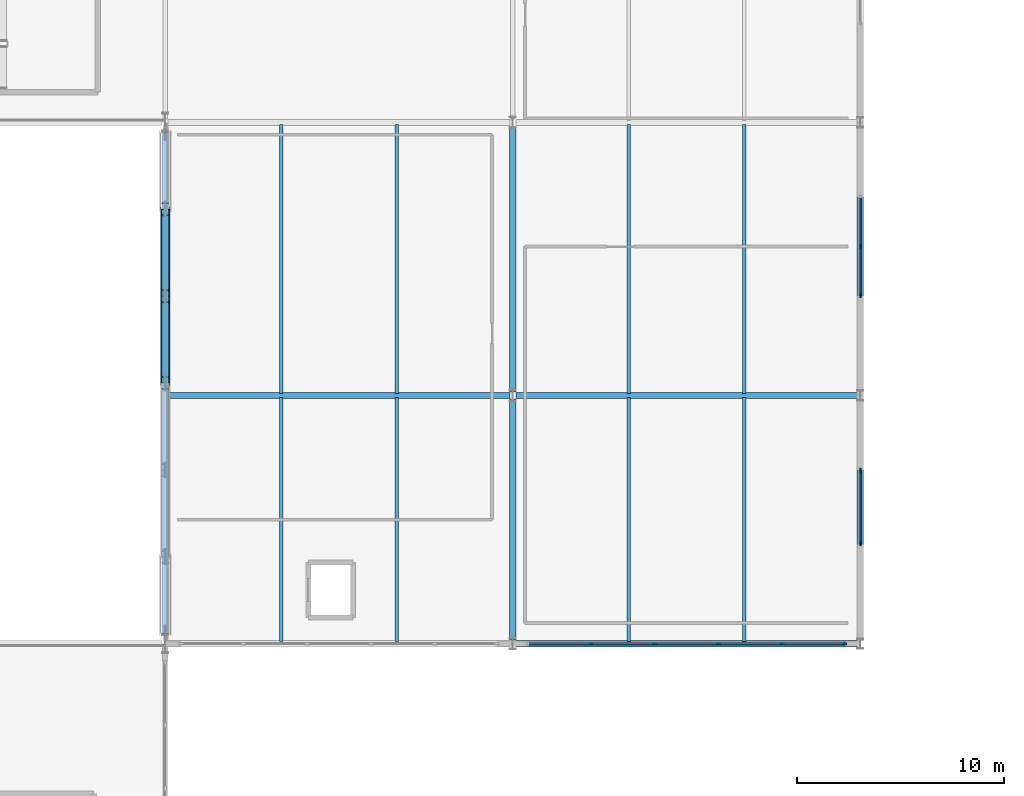
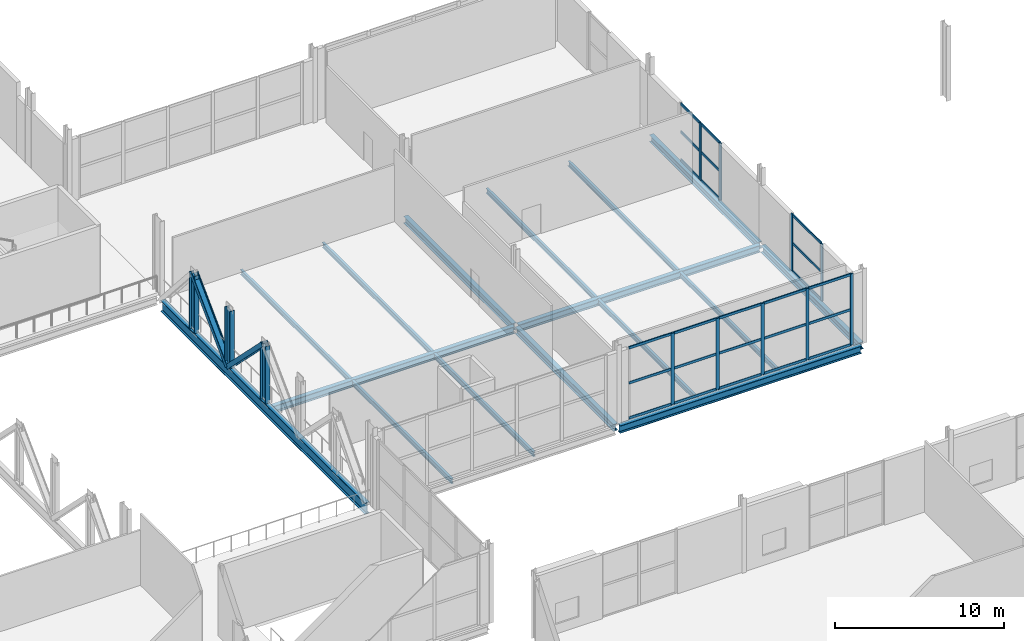
# One storey, part 43 of 84: 38 members, 16 beams, 3 elements without a shape of their own.
"""IFC4 building model written with IfcOpenShell, lengths in metres."""

from ifc_helpers import new_model, si_unit, direction, frame, origin, origin_2d, place, context, subcontext, project, spatial, rectangle, i_section, extrude, material, material_profile, profile_set, type_object, element, aggregate, save


model = new_model("IFC4")

# Units and contexts
model_context = context("Model", 3, precision=1e-05, world=origin(), true_north=direction((0.0, 1.0)))
body_context = subcontext(model_context, "Body", "Model", "MODEL_VIEW")
ifc_project = project(units=[si_unit("LENGTHUNIT", "METRE"), si_unit("AREAUNIT", "SQUARE_METRE"), si_unit("VOLUMEUNIT", "CUBIC_METRE"), si_unit("PLANEANGLEUNIT", "RADIAN"), si_unit("MASSUNIT", "GRAM", prefix="KILO")], contexts=[model_context])

# Site, building, storey
site_placement = place(None, origin())
site = spatial("IfcSite", under=ifc_project, at=site_placement, CompositionType="ELEMENT")
building_placement = place(site_placement, origin())
building = spatial("IfcBuilding", under=site, at=building_placement, Name="Kimbaza Rail Terminus", CompositionType="ELEMENT")
storey_placement = place(building_placement, frame((0.0, 0.0, 5.39990234375)))
storey = spatial("IfcBuildingStorey", under=building, at=storey_placement, Name="L01", CompositionType="ELEMENT", Elevation=5.39990234375)

# Curtain wall, members
ifc_material_1 = material(Name="Anodised aluminium framing and solar low-E glazing", Category="aluminium")
curtain_wall_type = type_object("IfcCurtainWallType", Name="ARC-CW-TH1", PredefinedType="USERDEFINED", material=ifc_material_1)
curtain_wall_1_placement = place(storey_placement, origin())
curtain_wall_1 = element("IfcCurtainWall", 1, at=curtain_wall_1_placement, inside=storey, type_object=curtain_wall_type, Name="Ticket Hall Wing E Curtain Wall L01.2", ObjectType="UNITISED CURTAIN WALL", PredefinedType="USERDEFINED")
ifc_material_2 = material(Name="Anodised architectural aluminium", Category="aluminium")
ifc_material_profile_1 = material_profile(ifc_material_2, rectangle(XDim=0.074951171875, YDim=0.219970703125, at=origin_2d()), Name="MULLION 75x220")
ifc_profile_set_1 = profile_set([ifc_material_profile_1], Name="Anodised architectural aluminium")
member_type_1 = type_object("IfcMemberType", Name="ARC-CWM-01", PredefinedType="MULLION", material=ifc_profile_set_1)
member_1_placement = place(storey_placement, frame((176.592041015625, 55.0, 0.0), z_axis=(0.0, 0.0, 1.0), x_axis=(0.0, 1.0, 0.0)))
member_1 = element("IfcMember", 2, at=member_1_placement, type_object=member_type_1, Name="CW-01 mullion 2", PredefinedType="MULLION", context=body_context, shape_type="SweptSolid", body=[
    extrude(rectangle(XDim=0.074951171875, YDim=0.219970703125, at=origin_2d()), origin(), (0.0, 0.0, 1.0), 5.14013671875),
])
member_2_placement = place(storey_placement, frame((179.6640625, 55.0, 0.0), z_axis=(0.0, 0.0, 1.0), x_axis=(0.0, 1.0, 0.0)))
member_2 = element("IfcMember", 3, at=member_2_placement, type_object=member_type_1, Name="CW-01 mullion 3", PredefinedType="MULLION", context=body_context, shape_type="SweptSolid", body=[
    extrude(rectangle(XDim=0.074951171875, YDim=0.219970703125, at=origin_2d()), origin(), (0.0, 0.0, 1.0), 5.14013671875),
])
member_3_placement = place(storey_placement, frame((182.736083984375, 55.0, 0.0), z_axis=(0.0, 0.0, 1.0), x_axis=(0.0, 1.0, 0.0)))
member_3 = element("IfcMember", 4, at=member_3_placement, type_object=member_type_1, Name="CW-01 mullion 4", PredefinedType="MULLION", context=body_context, shape_type="SweptSolid", body=[
    extrude(rectangle(XDim=0.074951171875, YDim=0.219970703125, at=origin_2d()), origin(), (0.0, 0.0, 1.0), 5.14013671875),
])
member_4_placement = place(storey_placement, frame((185.80810546875, 55.0, 0.0), z_axis=(0.0, 0.0, 1.0), x_axis=(0.0, 1.0, 0.0)))
member_4 = element("IfcMember", 5, at=member_4_placement, type_object=member_type_1, Name="CW-01 mullion 5", PredefinedType="MULLION", context=body_context, shape_type="SweptSolid", body=[
    extrude(rectangle(XDim=0.074951171875, YDim=0.219970703125, at=origin_2d()), origin(), (0.0, 0.0, 1.0), 5.14013671875),
])
member_5_placement = place(storey_placement, frame((188.842529296875, 55.0, 0.0), z_axis=(0.0, 0.0, 1.0), x_axis=(0.0, 1.0, 0.0)))
member_5 = element("IfcMember", 6, at=member_5_placement, type_object=member_type_1, Name="CW-01 mullion 6", PredefinedType="MULLION", context=body_context, shape_type="SweptSolid", body=[
    extrude(rectangle(XDim=0.074951171875, YDim=0.219970703125, at=origin_2d()), origin(), (0.0, 0.0, 1.0), 5.14013671875),
])

curtain_wall_2_placement = place(storey_placement, origin())
curtain_wall_2 = element("IfcCurtainWall", 7, at=curtain_wall_2_placement, inside=storey, type_object=curtain_wall_type, Name="Ticket Hall E Glazing L01.1", ObjectType="UNITISED CURTAIN WALL", PredefinedType="USERDEFINED")
member_6_placement = place(storey_placement, frame((189.60009765625, 59.83740234375, 0.0), z_axis=(0.0, 0.0, 1.0), x_axis=(-1.0, 0.0, 0.0)))
member_6 = element("IfcMember", 8, at=member_6_placement, type_object=member_type_1, Name="CW-01 mullion 1", PredefinedType="MULLION", context=body_context, shape_type="SweptSolid", body=[
    extrude(rectangle(XDim=0.074951171875, YDim=0.219970703125, at=origin_2d()), origin(), (0.0, 0.0, 1.0), 4.125),
])
member_7_placement = place(storey_placement, frame((189.60009765625, 63.362548828125, 0.0), z_axis=(0.0, 0.0, 1.0), x_axis=(-1.0, 0.0, 0.0)))
member_7 = element("IfcMember", 9, at=member_7_placement, type_object=member_type_1, Name="CW-01 mullion 2", PredefinedType="MULLION", context=body_context, shape_type="SweptSolid", body=[
    extrude(rectangle(XDim=0.074951171875, YDim=0.219970703125, at=origin_2d()), origin(), (0.0, 0.0, 1.0), 4.125),
])

curtain_wall_3_placement = place(storey_placement, origin())
curtain_wall_3 = element("IfcCurtainWall", 10, at=curtain_wall_3_placement, inside=storey, type_object=curtain_wall_type, Name="Ticket Hall E Glazing L01.2", ObjectType="UNITISED CURTAIN WALL", PredefinedType="USERDEFINED")
member_8_placement = place(storey_placement, frame((189.60009765625, 71.83740234375, 0.0), z_axis=(0.0, 0.0, 1.0), x_axis=(-1.0, 0.0, 0.0)))
member_8 = element("IfcMember", 11, at=member_8_placement, type_object=member_type_1, Name="CW-01 mullion 1", PredefinedType="MULLION", context=body_context, shape_type="SweptSolid", body=[
    extrude(rectangle(XDim=0.074951171875, YDim=0.219970703125, at=origin_2d()), origin(), (0.0, 0.0, 1.0), 4.125),
])
member_9_placement = place(storey_placement, frame((189.60009765625, 74.199951171875, 0.0), z_axis=(0.0, 0.0, 1.0), x_axis=(-1.0, 0.0, 0.0)))
member_9 = element("IfcMember", 12, at=member_9_placement, type_object=member_type_1, Name="CW-01 mullion 2", PredefinedType="MULLION", context=body_context, shape_type="SweptSolid", body=[
    extrude(rectangle(XDim=0.074951171875, YDim=0.219970703125, at=origin_2d()), origin(), (0.0, 0.0, 1.0), 4.125),
])

# Member
ifc_material_3 = material(Name="Anodised architectural aluminium", Category="aluminium")
ifc_material_profile_2 = material_profile(ifc_material_3, rectangle(XDim=0.074951171875, YDim=0.179931640625, at=origin_2d()), Name="TRANSOM 75x180")
ifc_profile_set_2 = profile_set([ifc_material_profile_2], Name="Anodised architectural aluminium")
member_type_2 = type_object("IfcMemberType", Name="ARC-CWT-01", PredefinedType="USERDEFINED", material=ifc_profile_set_2)
member_10_placement = place(storey_placement, frame((173.594970703125, 55.0, 0.03759765625), z_axis=(1.0, 0.0, 0.0), x_axis=(0.0, 1.0, 0.0)))
member_10 = element("IfcMember", 13, at=member_10_placement, type_object=member_type_2, Name="CW-01 transom 1.1", ObjectType="TRANSOM", PredefinedType="USERDEFINED", context=body_context, shape_type="SweptSolid", body=[
    extrude(rectangle(XDim=0.074951171875, YDim=0.179931640625, at=origin_2d()), origin(), (0.0, 0.0, 1.0), 2.95947265625),
])

member_11_placement = place(storey_placement, frame((173.594970703125, 55.0, 2.570068359375), z_axis=(1.0, 0.0, 0.0), x_axis=(0.0, 1.0, 0.0)))
member_11 = element("IfcMember", 14, at=member_11_placement, type_object=member_type_2, Name="CW-01 transom 1.2", ObjectType="TRANSOM", PredefinedType="USERDEFINED", context=body_context, shape_type="SweptSolid", body=[
    extrude(rectangle(XDim=0.074951171875, YDim=0.179931640625, at=origin_2d()), origin(), (0.0, 0.0, 1.0), 2.95947265625),
])

member_12_placement = place(storey_placement, frame((173.594970703125, 55.0, 5.1025390625), z_axis=(1.0, 0.0, 0.0), x_axis=(0.0, 1.0, 0.0)))
member_12 = element("IfcMember", 15, at=member_12_placement, type_object=member_type_2, Name="CW-01 transom 1.3", ObjectType="TRANSOM", PredefinedType="USERDEFINED", context=body_context, shape_type="SweptSolid", body=[
    extrude(rectangle(XDim=0.074951171875, YDim=0.179931640625, at=origin_2d()), origin(), (0.0, 0.0, 1.0), 2.95947265625),
])

member_13_placement = place(storey_placement, frame((176.62939453125, 55.0, 0.03759765625), z_axis=(1.0, 0.0, 0.0), x_axis=(0.0, 1.0, 0.0)))
member_13 = element("IfcMember", 16, at=member_13_placement, type_object=member_type_2, Name="CW-01 transom 2.1", ObjectType="TRANSOM", PredefinedType="USERDEFINED", context=body_context, shape_type="SweptSolid", body=[
    extrude(rectangle(XDim=0.074951171875, YDim=0.179931640625, at=origin_2d()), origin(), (0.0, 0.0, 1.0), 2.9970703125),
])

member_14_placement = place(storey_placement, frame((176.62939453125, 55.0, 2.570068359375), z_axis=(1.0, 0.0, 0.0), x_axis=(0.0, 1.0, 0.0)))
member_14 = element("IfcMember", 17, at=member_14_placement, type_object=member_type_2, Name="CW-01 transom 2.2", ObjectType="TRANSOM", PredefinedType="USERDEFINED", context=body_context, shape_type="SweptSolid", body=[
    extrude(rectangle(XDim=0.074951171875, YDim=0.179931640625, at=origin_2d()), origin(), (0.0, 0.0, 1.0), 2.9970703125),
])

member_15_placement = place(storey_placement, frame((176.62939453125, 55.0, 5.1025390625), z_axis=(1.0, 0.0, 0.0), x_axis=(0.0, 1.0, 0.0)))
member_15 = element("IfcMember", 18, at=member_15_placement, type_object=member_type_2, Name="CW-01 transom 2.3", ObjectType="TRANSOM", PredefinedType="USERDEFINED", context=body_context, shape_type="SweptSolid", body=[
    extrude(rectangle(XDim=0.074951171875, YDim=0.179931640625, at=origin_2d()), origin(), (0.0, 0.0, 1.0), 2.9970703125),
])

member_16_placement = place(storey_placement, frame((179.701416015625, 55.0, 0.03759765625), z_axis=(1.0, 0.0, 0.0), x_axis=(0.0, 1.0, 0.0)))
member_16 = element("IfcMember", 19, at=member_16_placement, type_object=member_type_2, Name="CW-01 transom 3.1", ObjectType="TRANSOM", PredefinedType="USERDEFINED", context=body_context, shape_type="SweptSolid", body=[
    extrude(rectangle(XDim=0.074951171875, YDim=0.179931640625, at=origin_2d()), origin(), (0.0, 0.0, 1.0), 2.9970703125),
])

member_17_placement = place(storey_placement, frame((179.701416015625, 55.0, 2.570068359375), z_axis=(1.0, 0.0, 0.0), x_axis=(0.0, 1.0, 0.0)))
member_17 = element("IfcMember", 20, at=member_17_placement, type_object=member_type_2, Name="CW-01 transom 3.2", ObjectType="TRANSOM", PredefinedType="USERDEFINED", context=body_context, shape_type="SweptSolid", body=[
    extrude(rectangle(XDim=0.074951171875, YDim=0.179931640625, at=origin_2d()), origin(), (0.0, 0.0, 1.0), 2.9970703125),
])

member_18_placement = place(storey_placement, frame((179.701416015625, 55.0, 5.1025390625), z_axis=(1.0, 0.0, 0.0), x_axis=(0.0, 1.0, 0.0)))
member_18 = element("IfcMember", 21, at=member_18_placement, type_object=member_type_2, Name="CW-01 transom 3.3", ObjectType="TRANSOM", PredefinedType="USERDEFINED", context=body_context, shape_type="SweptSolid", body=[
    extrude(rectangle(XDim=0.074951171875, YDim=0.179931640625, at=origin_2d()), origin(), (0.0, 0.0, 1.0), 2.9970703125),
])

member_19_placement = place(storey_placement, frame((182.7734375, 55.0, 0.03759765625), z_axis=(1.0, 0.0, 0.0), x_axis=(0.0, 1.0, 0.0)))
member_19 = element("IfcMember", 22, at=member_19_placement, type_object=member_type_2, Name="CW-01 transom 4.1", ObjectType="TRANSOM", PredefinedType="USERDEFINED", context=body_context, shape_type="SweptSolid", body=[
    extrude(rectangle(XDim=0.074951171875, YDim=0.179931640625, at=origin_2d()), origin(), (0.0, 0.0, 1.0), 2.9970703125),
])

member_20_placement = place(storey_placement, frame((182.7734375, 55.0, 2.570068359375), z_axis=(1.0, 0.0, 0.0), x_axis=(0.0, 1.0, 0.0)))
member_20 = element("IfcMember", 23, at=member_20_placement, type_object=member_type_2, Name="CW-01 transom 4.2", ObjectType="TRANSOM", PredefinedType="USERDEFINED", context=body_context, shape_type="SweptSolid", body=[
    extrude(rectangle(XDim=0.074951171875, YDim=0.179931640625, at=origin_2d()), origin(), (0.0, 0.0, 1.0), 2.9970703125),
])

member_21_placement = place(storey_placement, frame((182.7734375, 55.0, 5.1025390625), z_axis=(1.0, 0.0, 0.0), x_axis=(0.0, 1.0, 0.0)))
member_21 = element("IfcMember", 24, at=member_21_placement, type_object=member_type_2, Name="CW-01 transom 4.3", ObjectType="TRANSOM", PredefinedType="USERDEFINED", context=body_context, shape_type="SweptSolid", body=[
    extrude(rectangle(XDim=0.074951171875, YDim=0.179931640625, at=origin_2d()), origin(), (0.0, 0.0, 1.0), 2.9970703125),
])

member_22_placement = place(storey_placement, frame((185.845458984375, 55.0, 0.03759765625), z_axis=(1.0, 0.0, 0.0), x_axis=(0.0, 1.0, 0.0)))
member_22 = element("IfcMember", 25, at=member_22_placement, type_object=member_type_2, Name="CW-01 transom 5.1", ObjectType="TRANSOM", PredefinedType="USERDEFINED", context=body_context, shape_type="SweptSolid", body=[
    extrude(rectangle(XDim=0.074951171875, YDim=0.179931640625, at=origin_2d()), origin(), (0.0, 0.0, 1.0), 2.95947265625),
])

member_23_placement = place(storey_placement, frame((185.845458984375, 55.0, 2.570068359375), z_axis=(1.0, 0.0, 0.0), x_axis=(0.0, 1.0, 0.0)))
member_23 = element("IfcMember", 26, at=member_23_placement, type_object=member_type_2, Name="CW-01 transom 5.2", ObjectType="TRANSOM", PredefinedType="USERDEFINED", context=body_context, shape_type="SweptSolid", body=[
    extrude(rectangle(XDim=0.074951171875, YDim=0.179931640625, at=origin_2d()), origin(), (0.0, 0.0, 1.0), 2.95947265625),
])

member_24_placement = place(storey_placement, frame((185.845458984375, 55.0, 5.1025390625), z_axis=(1.0, 0.0, 0.0), x_axis=(0.0, 1.0, 0.0)))
member_24 = element("IfcMember", 27, at=member_24_placement, type_object=member_type_2, Name="CW-01 transom 5.3", ObjectType="TRANSOM", PredefinedType="USERDEFINED", context=body_context, shape_type="SweptSolid", body=[
    extrude(rectangle(XDim=0.074951171875, YDim=0.179931640625, at=origin_2d()), origin(), (0.0, 0.0, 1.0), 2.95947265625),
])

aggregate(curtain_wall_1, [member_1, member_2, member_3, member_4, member_5, member_10, member_11, member_12, member_13, member_14, member_15, member_16, member_17, member_18, member_19, member_20, member_21, member_22, member_23, member_24])

member_25_placement = place(storey_placement, frame((189.60009765625, 59.875, 0.03759765625), z_axis=(0.0, 1.0, 0.0), x_axis=(-1.0, 0.0, 0.0)))
member_25 = element("IfcMember", 28, at=member_25_placement, type_object=member_type_2, Name="CW-01 transom 1.1", ObjectType="TRANSOM", PredefinedType="USERDEFINED", context=body_context, shape_type="SweptSolid", body=[
    extrude(rectangle(XDim=0.074951171875, YDim=0.179931640625, at=origin_2d()), origin(), (0.0, 0.0, 1.0), 3.449951171875),
])

member_26_placement = place(storey_placement, frame((189.60009765625, 59.875, 2.0625), z_axis=(0.0, 1.0, 0.0), x_axis=(-1.0, 0.0, 0.0)))
member_26 = element("IfcMember", 29, at=member_26_placement, type_object=member_type_2, Name="CW-01 transom 1.2", ObjectType="TRANSOM", PredefinedType="USERDEFINED", context=body_context, shape_type="SweptSolid", body=[
    extrude(rectangle(XDim=0.074951171875, YDim=0.179931640625, at=origin_2d()), origin(), (0.0, 0.0, 1.0), 3.449951171875),
])

member_27_placement = place(storey_placement, frame((189.60009765625, 59.875, 4.087646484375), z_axis=(0.0, 1.0, 0.0), x_axis=(-1.0, 0.0, 0.0)))
member_27 = element("IfcMember", 30, at=member_27_placement, type_object=member_type_2, Name="CW-01 transom 1.3", ObjectType="TRANSOM", PredefinedType="USERDEFINED", context=body_context, shape_type="SweptSolid", body=[
    extrude(rectangle(XDim=0.074951171875, YDim=0.179931640625, at=origin_2d()), origin(), (0.0, 0.0, 1.0), 3.449951171875),
])

aggregate(curtain_wall_2, [member_6, member_7, member_25, member_26, member_27])

member_28_placement = place(storey_placement, frame((189.60009765625, 71.875, 0.03759765625), z_axis=(0.0, 1.0, 0.0), x_axis=(-1.0, 0.0, 0.0)))
member_28 = element("IfcMember", 31, at=member_28_placement, type_object=member_type_2, Name="CW-01 transom 1.1", ObjectType="TRANSOM", PredefinedType="USERDEFINED", context=body_context, shape_type="SweptSolid", body=[
    extrude(rectangle(XDim=0.074951171875, YDim=0.179931640625, at=origin_2d()), origin(), (0.0, 0.0, 1.0), 2.28759765625),
])

member_29_placement = place(storey_placement, frame((189.60009765625, 71.875, 2.0625), z_axis=(0.0, 1.0, 0.0), x_axis=(-1.0, 0.0, 0.0)))
member_29 = element("IfcMember", 32, at=member_29_placement, type_object=member_type_2, Name="CW-01 transom 1.2", ObjectType="TRANSOM", PredefinedType="USERDEFINED", context=body_context, shape_type="SweptSolid", body=[
    extrude(rectangle(XDim=0.074951171875, YDim=0.179931640625, at=origin_2d()), origin(), (0.0, 0.0, 1.0), 2.28759765625),
])

member_30_placement = place(storey_placement, frame((189.60009765625, 71.875, 4.087646484375), z_axis=(0.0, 1.0, 0.0), x_axis=(-1.0, 0.0, 0.0)))
member_30 = element("IfcMember", 33, at=member_30_placement, type_object=member_type_2, Name="CW-01 transom 1.3", ObjectType="TRANSOM", PredefinedType="USERDEFINED", context=body_context, shape_type="SweptSolid", body=[
    extrude(rectangle(XDim=0.074951171875, YDim=0.179931640625, at=origin_2d()), origin(), (0.0, 0.0, 1.0), 2.28759765625),
])

member_31_placement = place(storey_placement, frame((189.60009765625, 74.237548828125, 0.03759765625), z_axis=(0.0, 1.0, 0.0), x_axis=(-1.0, 0.0, 0.0)))
member_31 = element("IfcMember", 34, at=member_31_placement, type_object=member_type_2, Name="CW-01 transom 2.1", ObjectType="TRANSOM", PredefinedType="USERDEFINED", context=body_context, shape_type="SweptSolid", body=[
    extrude(rectangle(XDim=0.074951171875, YDim=0.179931640625, at=origin_2d()), origin(), (0.0, 0.0, 1.0), 2.287353515625),
])

member_32_placement = place(storey_placement, frame((189.60009765625, 74.237548828125, 2.0625), z_axis=(0.0, 1.0, 0.0), x_axis=(-1.0, 0.0, 0.0)))
member_32 = element("IfcMember", 35, at=member_32_placement, type_object=member_type_2, Name="CW-01 transom 2.2", ObjectType="TRANSOM", PredefinedType="USERDEFINED", context=body_context, shape_type="SweptSolid", body=[
    extrude(rectangle(XDim=0.074951171875, YDim=0.179931640625, at=origin_2d()), origin(), (0.0, 0.0, 1.0), 2.287353515625),
])

member_33_placement = place(storey_placement, frame((189.60009765625, 74.237548828125, 4.087646484375), z_axis=(0.0, 1.0, 0.0), x_axis=(-1.0, 0.0, 0.0)))
member_33 = element("IfcMember", 36, at=member_33_placement, type_object=member_type_2, Name="CW-01 transom 2.3", ObjectType="TRANSOM", PredefinedType="USERDEFINED", context=body_context, shape_type="SweptSolid", body=[
    extrude(rectangle(XDim=0.074951171875, YDim=0.179931640625, at=origin_2d()), origin(), (0.0, 0.0, 1.0), 2.287353515625),
])

aggregate(curtain_wall_3, [member_8, member_9, member_28, member_29, member_30, member_31, member_32, member_33])

# Beams
ifc_material_4 = material(Name="Steel S355", Category="steel")
ifc_material_profile_3 = material_profile(ifc_material_4, i_section(OverallWidth=0.300048828125, OverallDepth=0.5, WebThickness=0.014404296875, FlangeThickness=0.028076171875, FilletRadius=0.027099609375, at=origin_2d()), Name="HEB 500")
ifc_profile_set_3 = profile_set([ifc_material_profile_3], Name="Steel S355")
beam_type_1 = type_object("IfcBeamType", Name="STR-BM-HEB500", PredefinedType="BEAM", material=ifc_profile_set_3)
for number, where, z_axis, x_axis, name in (
    (37, (156.14599609375, 67.0, -0.469970703125), (1.0, 0.0, 0.0), (0.0, 1.0, 0.0), "Beam BM-V2WX-L01-156"),
    (38, (172.946044921875, 67.0, -0.469970703125), (1.0, 0.0, 0.0), (0.0, 1.0, 0.0), "Beam BM-V2WX-L01-173"),
):
    element("IfcBeam", number, at=place(storey_placement, frame(where, z_axis=z_axis, x_axis=x_axis)), inside=storey, type_object=beam_type_1, Name=name, PredefinedType="BEAM", context=body_context, shape_type="SweptSolid", body=[
        extrude(i_section(OverallWidth=0.300048828125, OverallDepth=0.5, WebThickness=0.014404296875, FlangeThickness=0.028076171875, FilletRadius=0.027099609375, at=origin_2d()), origin(), (0.0, 0.0, 1.0), 16.508056640625),
    ])
beam_1_placement = place(storey_placement, frame((172.800048828125, 55.175048828125, -0.469970703125), z_axis=(0.0, 1.0, 0.0), x_axis=(-1.0, 0.0, 0.0)))
element("IfcBeam", 39, at=beam_1_placement, inside=storey, type_object=beam_type_1, Name="Beam BM-V2WY-L01-2-55", PredefinedType="BEAM", context=body_context, shape_type="SweptSolid", body=[
    extrude(i_section(OverallWidth=0.300048828125, OverallDepth=0.5, WebThickness=0.014404296875, FlangeThickness=0.028076171875, FilletRadius=0.027099609375, at=origin_2d()), origin(), (0.0, 0.0, 1.0), 11.64990234375),
])
beam_2_placement = place(storey_placement, frame((172.800048828125, 67.175048828125, -0.469970703125), z_axis=(0.0, 1.0, 0.0), x_axis=(-1.0, 0.0, 0.0)))
element("IfcBeam", 40, at=beam_2_placement, inside=storey, type_object=beam_type_1, Name="Beam BM-V2WY-L01-2-67", PredefinedType="BEAM", context=body_context, shape_type="SweptSolid", body=[
    extrude(i_section(OverallWidth=0.300048828125, OverallDepth=0.5, WebThickness=0.014404296875, FlangeThickness=0.028076171875, FilletRadius=0.027099609375, at=origin_2d()), origin(), (0.0, 0.0, 1.0), 12.849853515625),
])
beam_3_placement = place(storey_placement, frame((189.60009765625, 55.175048828125, -0.469970703125), z_axis=(0.0, 1.0, 0.0), x_axis=(-1.0, 0.0, 0.0)))
element("IfcBeam", 41, at=beam_3_placement, inside=storey, type_object=beam_type_1, Name="Beam BM-V2WY-L01-3-55", PredefinedType="BEAM", context=body_context, shape_type="SweptSolid", body=[
    extrude(i_section(OverallWidth=0.300048828125, OverallDepth=0.5, WebThickness=0.014404296875, FlangeThickness=0.028076171875, FilletRadius=0.027099609375, at=origin_2d()), origin(), (0.0, 0.0, 1.0), 11.64990234375),
])
beam_4_placement = place(storey_placement, frame((189.60009765625, 67.175048828125, -0.469970703125), z_axis=(0.0, 1.0, 0.0), x_axis=(-1.0, 0.0, 0.0)))
element("IfcBeam", 42, at=beam_4_placement, inside=storey, type_object=beam_type_1, Name="Beam BM-V2WY-L01-3-67", PredefinedType="BEAM", context=body_context, shape_type="SweptSolid", body=[
    extrude(i_section(OverallWidth=0.300048828125, OverallDepth=0.5, WebThickness=0.014404296875, FlangeThickness=0.028076171875, FilletRadius=0.027099609375, at=origin_2d()), origin(), (0.0, 0.0, 1.0), 12.849853515625),
])
ifc_material_5 = material(Name="Steel S355", Category="steel")
ifc_material_profile_4 = material_profile(ifc_material_5, i_section(OverallWidth=0.300048828125, OverallDepth=0.550048828125, WebThickness=0.014892578125, FlangeThickness=0.029052734375, FilletRadius=0.027099609375, at=origin_2d()), Name="HEB 550")
ifc_profile_set_4 = profile_set([ifc_material_profile_4], Name="Steel S355")
beam_type_2 = type_object("IfcBeamType", Name="STR-BM-HEB550", PredefinedType="BEAM", material=ifc_profile_set_4)
beam_5_placement = place(storey_placement, frame((172.946044921875, 55.0, -0.494873046875), z_axis=(1.0, 0.0, 0.0), x_axis=(0.0, 1.0, 0.0)))
element("IfcBeam", 43, at=beam_5_placement, inside=storey, type_object=beam_type_2, Name="Beam BM-V2X-L01-55-8", PredefinedType="BEAM", context=body_context, shape_type="SweptSolid", body=[
    extrude(i_section(OverallWidth=0.300048828125, OverallDepth=0.550048828125, WebThickness=0.014892578125, FlangeThickness=0.029052734375, FilletRadius=0.027099609375, at=origin_2d()), origin(), (0.0, 0.0, 1.0), 16.508056640625),
])
ifc_material_6 = material(Name="Steel S355", Category="steel")
ifc_material_profile_5 = material_profile(ifc_material_6, i_section(OverallWidth=0.302978515625, OverallDepth=0.81396484375, WebThickness=0.02099609375, FlangeThickness=0.0400390625, FilletRadius=0.030029296875, at=origin_2d()), Name="HEM 800")
ifc_profile_set_5 = profile_set([ifc_material_profile_5], Name="Steel S355")
beam_type_3 = type_object("IfcBeamType", Name="STR-BM-HEM800", PredefinedType="USERDEFINED", material=ifc_profile_set_5)
beam_6_placement = place(storey_placement, frame((156.0, 55.498046875, -0.626953125), z_axis=(0.0, 1.0, 0.0), x_axis=(-1.0, 0.0, 0.0)))
element("IfcBeam", 44, at=beam_6_placement, inside=storey, type_object=beam_type_3, Name="Warren Transfer Truss WT-06 Bottom Chord", ObjectType="GIRDER", PredefinedType="USERDEFINED", context=body_context, shape_type="SweptSolid", body=[
    extrude(i_section(OverallWidth=0.302978515625, OverallDepth=0.81396484375, WebThickness=0.02099609375, FlangeThickness=0.0400390625, FilletRadius=0.030029296875, at=origin_2d()), origin(), (0.0, 0.0, 1.0), 24.203857421875),
])
ifc_material_7 = material(Name="Steel S355", Category="steel")
ifc_material_profile_6 = material_profile(ifc_material_7, i_section(OverallWidth=0.169921875, OverallDepth=0.360107421875, WebThickness=0.008056640625, FlangeThickness=0.0126953125, FilletRadius=0.01806640625, at=origin_2d()), Name="IPE 360")
ifc_profile_set_6 = profile_set([ifc_material_profile_6], Name="Steel S355")
beam_type_4 = type_object("IfcBeamType", Name="STR-BM-IPE360", PredefinedType="JOIST", material=ifc_profile_set_6)
beam_7_placement = place(storey_placement, frame((161.60009765625, 55.10009765625, -0.39990234375), z_axis=(0.0, 1.0, 0.0), x_axis=(-1.0, 0.0, 0.0)))
element("IfcBeam", 45, at=beam_7_placement, inside=storey, type_object=beam_type_4, Name="Beam JST-V2W-L01-2-1-55", PredefinedType="JOIST", context=body_context, shape_type="SweptSolid", body=[
    extrude(i_section(OverallWidth=0.169921875, OverallDepth=0.360107421875, WebThickness=0.008056640625, FlangeThickness=0.0126953125, FilletRadius=0.01806640625, at=origin_2d()), origin(), (0.0, 0.0, 1.0), 11.7998046875),
])
beam_8_placement = place(storey_placement, frame((161.60009765625, 67.10009765625, -0.39990234375), z_axis=(0.0, 1.0, 0.0), x_axis=(-1.0, 0.0, 0.0)))
element("IfcBeam", 46, at=beam_8_placement, inside=storey, type_object=beam_type_4, Name="Beam JST-V2W-L01-2-1-67", PredefinedType="JOIST", context=body_context, shape_type="SweptSolid", body=[
    extrude(i_section(OverallWidth=0.169921875, OverallDepth=0.360107421875, WebThickness=0.008056640625, FlangeThickness=0.0126953125, FilletRadius=0.01806640625, at=origin_2d()), origin(), (0.0, 0.0, 1.0), 13.0),
])
beam_9_placement = place(storey_placement, frame((167.199951171875, 55.10009765625, -0.39990234375), z_axis=(0.0, 1.0, 0.0), x_axis=(-1.0, 0.0, 0.0)))
element("IfcBeam", 47, at=beam_9_placement, inside=storey, type_object=beam_type_4, Name="Beam JST-V2W-L01-2-2-55", PredefinedType="JOIST", context=body_context, shape_type="SweptSolid", body=[
    extrude(i_section(OverallWidth=0.169921875, OverallDepth=0.360107421875, WebThickness=0.008056640625, FlangeThickness=0.0126953125, FilletRadius=0.01806640625, at=origin_2d()), origin(), (0.0, 0.0, 1.0), 11.7998046875),
])
beam_10_placement = place(storey_placement, frame((167.199951171875, 67.10009765625, -0.39990234375), z_axis=(0.0, 1.0, 0.0), x_axis=(-1.0, 0.0, 0.0)))
element("IfcBeam", 48, at=beam_10_placement, inside=storey, type_object=beam_type_4, Name="Beam JST-V2W-L01-2-2-67", PredefinedType="JOIST", context=body_context, shape_type="SweptSolid", body=[
    extrude(i_section(OverallWidth=0.169921875, OverallDepth=0.360107421875, WebThickness=0.008056640625, FlangeThickness=0.0126953125, FilletRadius=0.01806640625, at=origin_2d()), origin(), (0.0, 0.0, 1.0), 13.0),
])
beam_11_placement = place(storey_placement, frame((178.39990234375, 55.10009765625, -0.39990234375), z_axis=(0.0, 1.0, 0.0), x_axis=(-1.0, 0.0, 0.0)))
element("IfcBeam", 49, at=beam_11_placement, inside=storey, type_object=beam_type_4, Name="Beam JST-V2W-L01-3-1-55", PredefinedType="JOIST", context=body_context, shape_type="SweptSolid", body=[
    extrude(i_section(OverallWidth=0.169921875, OverallDepth=0.360107421875, WebThickness=0.008056640625, FlangeThickness=0.0126953125, FilletRadius=0.01806640625, at=origin_2d()), origin(), (0.0, 0.0, 1.0), 11.7998046875),
])
beam_12_placement = place(storey_placement, frame((178.39990234375, 67.10009765625, -0.39990234375), z_axis=(0.0, 1.0, 0.0), x_axis=(-1.0, 0.0, 0.0)))
element("IfcBeam", 50, at=beam_12_placement, inside=storey, type_object=beam_type_4, Name="Beam JST-V2W-L01-3-1-67", PredefinedType="JOIST", context=body_context, shape_type="SweptSolid", body=[
    extrude(i_section(OverallWidth=0.169921875, OverallDepth=0.360107421875, WebThickness=0.008056640625, FlangeThickness=0.0126953125, FilletRadius=0.01806640625, at=origin_2d()), origin(), (0.0, 0.0, 1.0), 13.0),
])
beam_13_placement = place(storey_placement, frame((184.0, 55.10009765625, -0.39990234375), z_axis=(0.0, 1.0, 0.0), x_axis=(-1.0, 0.0, 0.0)))
element("IfcBeam", 51, at=beam_13_placement, inside=storey, type_object=beam_type_4, Name="Beam JST-V2W-L01-3-2-55", PredefinedType="JOIST", context=body_context, shape_type="SweptSolid", body=[
    extrude(i_section(OverallWidth=0.169921875, OverallDepth=0.360107421875, WebThickness=0.008056640625, FlangeThickness=0.0126953125, FilletRadius=0.01806640625, at=origin_2d()), origin(), (0.0, 0.0, 1.0), 11.7998046875),
])
beam_14_placement = place(storey_placement, frame((184.0, 67.10009765625, -0.39990234375), z_axis=(0.0, 1.0, 0.0), x_axis=(-1.0, 0.0, 0.0)))
element("IfcBeam", 52, at=beam_14_placement, inside=storey, type_object=beam_type_4, Name="Beam JST-V2W-L01-3-2-67", PredefinedType="JOIST", context=body_context, shape_type="SweptSolid", body=[
    extrude(i_section(OverallWidth=0.169921875, OverallDepth=0.360107421875, WebThickness=0.008056640625, FlangeThickness=0.0126953125, FilletRadius=0.01806640625, at=origin_2d()), origin(), (0.0, 0.0, 1.0), 13.0),
])

# Members
ifc_material_8 = material(Name="Steel S355", Category="steel")
ifc_material_profile_7 = material_profile(ifc_material_8, i_section(OverallWidth=0.300048828125, OverallDepth=0.449951171875, WebThickness=0.013916015625, FlangeThickness=0.02587890625, FilletRadius=0.027099609375, at=origin_2d()), Name="HEB 450")
ifc_profile_set_7 = profile_set([ifc_material_profile_7], Name="Steel S355")
member_type_3 = type_object("IfcMemberType", Name="STR-MB-HEB450", PredefinedType="BRACE", material=ifc_profile_set_7)
for number, where, z_axis, x_axis, name in (
    (53, (156.0, 67.60009765625, 3.955078125), (0.0, 0.706942385545, -0.707271138616), (0.0, 0.707271138616, 0.706942385545), "Warren Transfer Truss Diagonal WT-06-4"),
    (54, (156.0, 71.800048828125, -0.246826171875), (0.0, 0.706942385545, 0.707271138616), (0.0, -0.707271138616, 0.706942385545), "Warren Transfer Truss Diagonal WT-06-5"),
):
    element("IfcMember", number, at=place(storey_placement, frame(where, z_axis=z_axis, x_axis=x_axis)), inside=storey, type_object=member_type_3, Name=name, PredefinedType="BRACE", context=body_context, shape_type="SweptSolid", body=[
        extrude(i_section(OverallWidth=0.300048828125, OverallDepth=0.449951171875, WebThickness=0.013916015625, FlangeThickness=0.02587890625, FilletRadius=0.027099609375, at=origin_2d()), origin(), (0.0, 0.0, 1.0), 5.94091796875),
    ])
ifc_material_9 = material(Name="Steel S355", Category="steel")
ifc_material_profile_8 = material_profile(ifc_material_9, i_section(OverallWidth=0.304931640625, OverallDepth=0.6201171875, WebThickness=0.02099609375, FlangeThickness=0.0400390625, FilletRadius=0.027099609375, at=origin_2d()), Name="HEM 600")
ifc_profile_set_8 = profile_set([ifc_material_profile_8], Name="Steel S355")
member_type_4 = type_object("IfcMemberType", Name="STR-MB-HEM600", PredefinedType="POST", material=ifc_profile_set_8)
for number, where, z_axis, x_axis, name in (
    (55, (156.0, 67.60009765625, -0.226806640625), (0.0, 0.0, 1.0), (1.0, 0.0, 0.0), "Warren Truss WT-06 Vertical Post 3"),
    (56, (156.0, 71.800048828125, -0.226806640625), (0.0, 0.0, 1.0), (1.0, 0.0, 0.0), "Warren Truss WT-06 Vertical Post 4"),
    (57, (156.0, 76.0, -0.226806640625), (0.0, 0.0, 1.0), (1.0, 0.0, 0.0), "Warren Truss WT-06 Vertical Post 5"),
):
    element("IfcMember", number, at=place(storey_placement, frame(where, z_axis=z_axis, x_axis=x_axis)), inside=storey, type_object=member_type_4, Name=name, PredefinedType="POST", context=body_context, shape_type="SweptSolid", body=[
        extrude(i_section(OverallWidth=0.304931640625, OverallDepth=0.6201171875, WebThickness=0.02099609375, FlangeThickness=0.0400390625, FilletRadius=0.027099609375, at=origin_2d()), origin(), (0.0, 0.0, 1.0), 4.15185546875),
    ])

save(model, "model.ifc")
